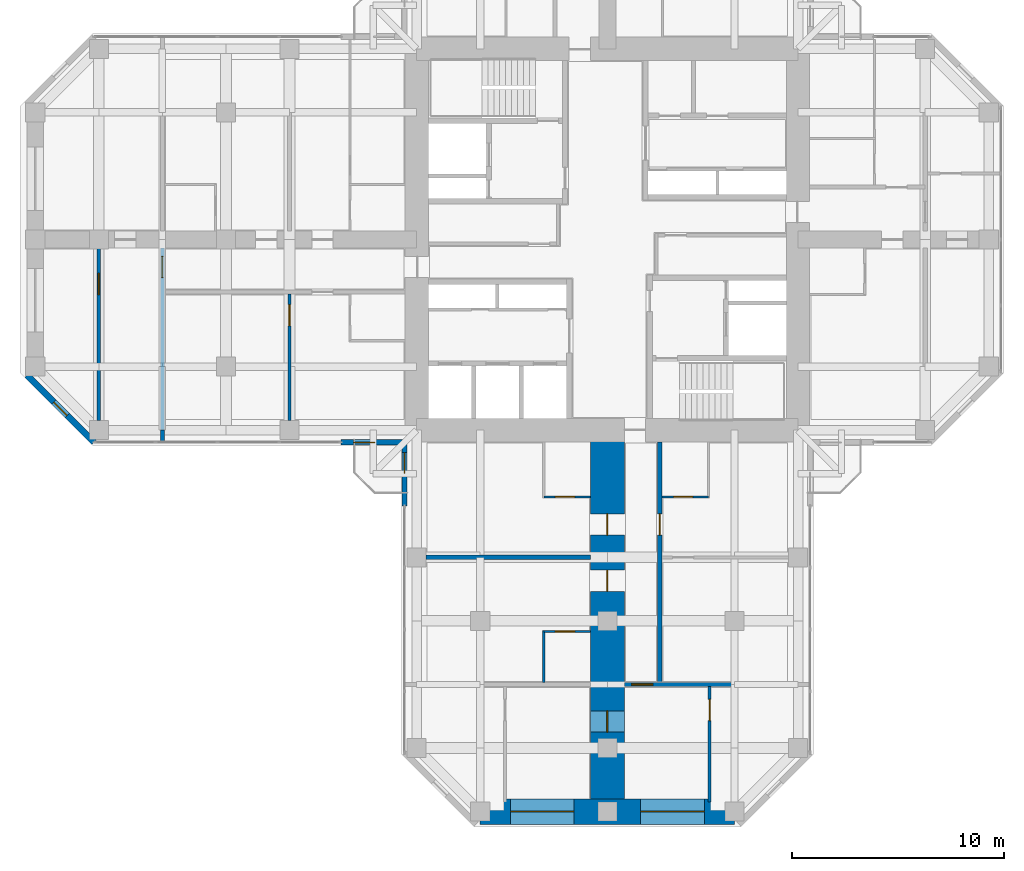
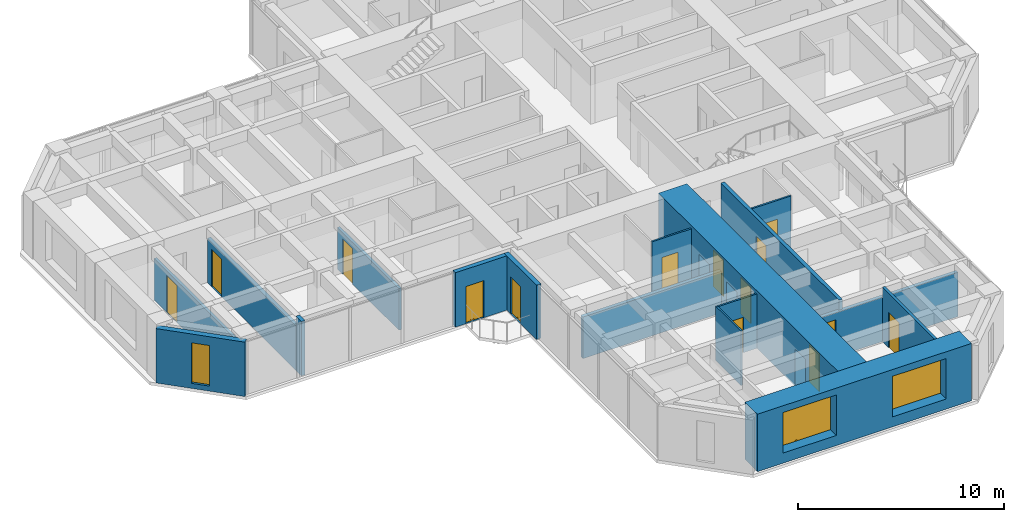
# One storey, part 8 of 14: 17 walls, 14 doors, 3 windows, 17 openings.
"""IFC4 building model written with IfcOpenShell, lengths in metres."""

import ifcopenshell
import ifcopenshell.guid

model = None  # the IFC model being written
_history = None  # IfcOwnerHistory: only IFC2X3 demands one
_inside = {}  # id of a spatial element -> (the spatial element, [elements in it])
_under = {}  # id of a project, library or spatial element -> (it, [spatial elements below it])
_declared = {}  # id of a project -> (the project, [libraries it declares])
_typed = {}  # id of a type object -> (the type object, [elements of that type])
_made_of = {}  # id of a material, layer set ... -> (it, [elements and type objects made of it])


def new_model(schema):
    """Start an empty IFC model of exactly this schema.

    Asked for "IFC4X3", IfcOpenShell would pick the latest addendum, in which some entities
    have other attributes; the version numbers below select the first issue.
    IFC2X3 requires an IfcOwnerHistory on every rooted entity: one is made here for all.
    """
    global model, _history
    if schema == "IFC4X3":
        model = ifcopenshell.file(schema_version=(4, 3, 0, 0))
    else:
        model = ifcopenshell.file(schema=schema)
    _inside.clear()
    _under.clear()
    _declared.clear()
    _typed.clear()
    _made_of.clear()
    _history = None
    if model.schema == "IFC2X3":
        org = make("IfcOrganization", Name="unknown")
        user = make(
            "IfcPersonAndOrganization",
            ThePerson=make("IfcPerson", FamilyName="unknown"),
            TheOrganization=org,
        )
        app = make(
            "IfcApplication",
            ApplicationDeveloper=org,
            Version="unknown",
            ApplicationFullName="unknown",
            ApplicationIdentifier="unknown",
        )
        _history = make(
            "IfcOwnerHistory",
            OwningUser=user,
            OwningApplication=app,
            ChangeAction="ADDED",
            CreationDate=0,
        )
    return model


def make(cls, **values):
    """One entity of the class cls with the attributes given. An attribute that is None is left unset."""
    return model.create_entity(
        cls, **{name: value for name, value in values.items() if value is not None}
    )


def rooted(cls, **values):
    """An entity with a GlobalId (a new one), such as an element, a storey or a relation."""
    return make(cls, GlobalId=ifcopenshell.guid.new(), OwnerHistory=_history, **values)


def si_unit(unit_type, name, prefix=None):
    """IfcSIUnit, for example si_unit("LENGTHUNIT", "METRE", prefix="MILLI")."""
    return make("IfcSIUnit", UnitType=unit_type, Prefix=prefix, Name=name)


def assignment(units):
    """IfcUnitAssignment: the units of a project."""
    return None if units is None else make("IfcUnitAssignment", Units=units)


def point(xyz):
    """IfcCartesianPoint."""
    return None if xyz is None else make("IfcCartesianPoint", Coordinates=xyz)


def direction(xyz):
    """IfcDirection."""
    return None if xyz is None else make("IfcDirection", DirectionRatios=xyz)


def frame(location, z_axis=None, x_axis=None):
    """IfcAxis2Placement3D, a coordinate frame: its origin and axes. An axis left out is left unset."""
    return make(
        "IfcAxis2Placement3D",
        Location=point(location),
        Axis=direction(z_axis),
        RefDirection=direction(x_axis),
    )


def frame_2d(location, x_axis=None):
    """IfcAxis2Placement2D, a coordinate frame in the plane: its origin and x axis."""
    return make(
        "IfcAxis2Placement2D", Location=point(location), RefDirection=direction(x_axis)
    )


def origin():
    """The frame at (0, 0, 0) with its axes left unset."""
    return frame((0.0, 0.0, 0.0))


def place(relative_to, where):
    """IfcLocalPlacement: puts the frame where relative to a parent placement (None: the world)."""
    return make(
        "IfcLocalPlacement", PlacementRelTo=relative_to, RelativePlacement=where
    )


def context(
    kind, dimensions, precision=None, world=None, true_north=None, identifier=None
):
    """IfcGeometricRepresentationContext, for example the 3D "Model" context."""
    return make(
        "IfcGeometricRepresentationContext",
        ContextIdentifier=identifier,
        ContextType=kind,
        CoordinateSpaceDimension=dimensions,
        Precision=precision,
        WorldCoordinateSystem=world,
        TrueNorth=true_north,
    )


def subcontext(parent, identifier, kind, view, scale=None):
    """IfcGeometricRepresentationSubContext, for example "Body" below "Model"."""
    return make(
        "IfcGeometricRepresentationSubContext",
        ContextIdentifier=identifier,
        ContextType=kind,
        ParentContext=parent,
        TargetScale=scale,
        TargetView=view,
    )


def project(units=None, contexts=None):
    """IfcProject with its units and contexts."""
    return rooted(
        "IfcProject",
        Name="project",
        RepresentationContexts=contexts,
        UnitsInContext=assignment(units),
    )


def spatial(cls, under=None, at=None, **own):
    """A site, building, storey or space (cls), placed at a placement, below another one or the project."""
    s = rooted(cls, ObjectPlacement=at, **own)
    if under is not None:
        _under.setdefault(under.id(), (under, []))[1].append(s)
    return s


def profile(cls, at=None, kind="AREA", **sizes):
    """A parametric profile (cls). Its sizes go by their IFC names, for example OverallWidth=200.0."""
    return make(cls, ProfileType=kind, Position=at, **sizes)


def rectangle(**sizes):
    """IfcRectangleProfileDef."""
    return profile("IfcRectangleProfileDef", **sizes)


def hollow_rectangle(**sizes):
    """IfcRectangleHollowProfileDef."""
    return profile("IfcRectangleHollowProfileDef", **sizes)


def extrude(swept, where, along, depth):
    """IfcExtrudedAreaSolid: the profile swept, set in the frame where, extruded along a direction by depth."""
    return make(
        "IfcExtrudedAreaSolid",
        SweptArea=swept,
        Position=where,
        ExtrudedDirection=direction(along),
        Depth=depth,
    )


def shape(context_of_items, identifier, shape_type, items):
    """IfcShapeRepresentation: the items that make up one representation, for example the "Body"."""
    return make(
        "IfcShapeRepresentation",
        ContextOfItems=context_of_items,
        RepresentationIdentifier=identifier,
        RepresentationType=shape_type,
        Items=items,
    )


def material(Name=None, Category=None):
    """IfcMaterial."""
    return make("IfcMaterial", Name=Name, Category=Category)


def layer(
    of_material, thickness, ventilated=None, Name=None, Category=None, Priority=None
):
    """IfcMaterialLayer: one layer of a wall or slab, of a material (None: an air gap)."""
    return make(
        "IfcMaterialLayer",
        Material=of_material,
        LayerThickness=thickness,
        IsVentilated=ventilated,
        Name=Name,
        Category=Category,
        Priority=Priority,
    )


def layer_set(layers, Name=None):
    """IfcMaterialLayerSet."""
    return make("IfcMaterialLayerSet", MaterialLayers=layers, LayerSetName=Name)


def constituent(of_material, Name=None, Category=None, fraction=None):
    """IfcMaterialConstituent: one of the materials an element consists of."""
    return make(
        "IfcMaterialConstituent",
        Name=Name,
        Material=of_material,
        Fraction=fraction,
        Category=Category,
    )


def constituent_set(constituents=None, Name=None):
    """IfcMaterialConstituentSet."""
    return make(
        "IfcMaterialConstituentSet", Name=Name, MaterialConstituents=constituents
    )


def made_of(thing, what):
    """Note that an element or type object is made of a material, layer set ...; save() writes the relation."""
    if what is not None:
        _made_of.setdefault(what.id(), (what, []))[1].append(thing)
    return thing


def type_object(cls, material=None, **own):
    """A type object (cls), such as IfcWallType, which elements share."""
    return made_of(rooted(cls, **own), material)


def element(
    cls,
    number,
    at=None,
    inside=None,
    cuts=None,
    type_object=None,
    material=None,
    context=None,
    identifier="Body",
    shape_type=None,
    held_by="IfcProductDefinitionShape",
    body=None,
    shapes=None,
    **own,
):
    """One element of the class cls, such as IfcWall. Its Tag is "e" and its number.

    at: its placement. inside: the storey or other place that contains it. cuts: it is an
    opening in that element (IfcRelVoidsElement). A single representation is given by context,
    identifier, shape_type and body (its items); several are given by shapes. held_by: the class
    of the entity that holds the representations. save() writes the other relations.
    """
    e = rooted(cls, Tag="e%d" % number, ObjectPlacement=at, **own)
    if body is not None:
        shapes = [shape(context, identifier, shape_type, body)]
    if shapes is not None:
        e.Representation = make(held_by, Representations=shapes)
    if inside is not None:
        _inside.setdefault(inside.id(), (inside, []))[1].append(e)
    if cuts is not None:
        rooted(
            "IfcRelVoidsElement", RelatingBuildingElement=cuts, RelatedOpeningElement=e
        )
    if type_object is not None:
        _typed.setdefault(type_object.id(), (type_object, []))[1].append(e)
    return made_of(e, material)


def fill(opening, filler):
    """IfcRelFillsElement: the door or window that sits in an opening."""
    return rooted(
        "IfcRelFillsElement",
        RelatingOpeningElement=opening,
        RelatedBuildingElement=filler,
    )


def aggregate(whole, parts):
    """IfcRelAggregates: a whole, such as a stair, and the parts it consists of."""
    return rooted("IfcRelAggregates", RelatingObject=whole, RelatedObjects=parts)


def save(model, path):
    """Write the relations noted so far, then the file.

    IfcRelAggregates (storeys below a building ...), IfcRelContainedInSpatialStructure (elements
    in a storey), IfcRelDefinesByType, IfcRelAssociatesMaterial and IfcRelDeclares: one each for
    every whole, place, type object, material and project.
    """
    for whole, parts in _under.values():
        aggregate(whole, parts)
    for where, things in _inside.values():
        rooted(
            "IfcRelContainedInSpatialStructure",
            RelatedElements=things,
            RelatingStructure=where,
        )
    for kind, things in _typed.values():
        rooted("IfcRelDefinesByType", RelatedObjects=things, RelatingType=kind)
    for what, things in _made_of.values():
        rooted("IfcRelAssociatesMaterial", RelatedObjects=things, RelatingMaterial=what)
    for by, libraries in _declared.values():
        rooted("IfcRelDeclares", RelatingContext=by, RelatedDefinitions=libraries)
    model.write(path)


model = new_model("IFC4")

# Units and contexts
model_context = context("Model", 3, precision=1e-05, world=origin(), true_north=direction((0.0, 1.0)))
body_context = subcontext(model_context, "Body", "Model", "MODEL_VIEW")
ifc_project = project(units=[si_unit("LENGTHUNIT", "METRE"), si_unit("AREAUNIT", "SQUARE_METRE"), si_unit("VOLUMEUNIT", "CUBIC_METRE"), si_unit("PLANEANGLEUNIT", "RADIAN"), si_unit("MASSUNIT", "GRAM", prefix="KILO")], contexts=[model_context])

# Site, building, storey
site_placement = place(None, origin())
site = spatial("IfcSite", under=ifc_project, at=site_placement, CompositionType="ELEMENT")
building_placement = place(site_placement, origin())
building = spatial("IfcBuilding", under=site, at=building_placement, Name="Torre Cruceta", CompositionType="ELEMENT")
storey_placement = place(building_placement, frame((0.0, 0.0, 200.10009765625)))
storey = spatial("IfcBuildingStorey", under=building, at=storey_placement, Name="L50", CompositionType="ELEMENT", Elevation=200.10009765625)

# Wall, opening, door
ifc_material_1 = material(Name="Water-resistant plasterboard on steel studs", Category="steel")
ifc_layer_1 = layer(ifc_material_1, 0.10009765625)
ifc_layer_set_1 = layer_set([ifc_layer_1], Name="Water-resistant plasterboard on steel studs")
wall_type_1 = type_object("IfcWallType", Name="BATHROOM WALL 100", PredefinedType="PARTITIONING", material=ifc_layer_set_1)
wall_1_placement = place(storey_placement, frame((2.574951171875, -12.14990234375, 0.0), z_axis=(0.0, 0.0, 1.0), x_axis=(1.0, 0.0, 0.0)))
wall_1 = element("IfcWall", 1, at=wall_1_placement, inside=storey, type_object=wall_type_1, Name="PT4 L50-S-U1LBS", PredefinedType="PARTITIONING", context=body_context, shape_type="SweptSolid", body=[
    extrude(rectangle(XDim=2.199951171875, YDim=0.10009765625, at=frame_2d((1.10009765625, 0.0))), origin(), (0.0, 0.0, 1.0), 3.219970703125),
])
opening_1_placement = place(wall_1_placement, frame((0.550048828125, 0.0, 0.0)))
opening_1 = element("IfcOpeningElement", 2, at=opening_1_placement, cuts=wall_1, Name="Opening D7", PredefinedType="OPENING", context=body_context, shape_type="SweptSolid", body=[
    extrude(rectangle(XDim=0.89990234375, YDim=2.10009765625, at=frame_2d((0.449951171875, 1.050048828125))), frame((0.0, 0.06005859375, 0.0), z_axis=(0.0, -1.0, 0.0), x_axis=(1.0, 0.0, 0.0)), (0.0, 0.0, 1.0), 0.1201171875),
])
ifc_material_2 = material(Name="Timber door", Category="wood")
door_type_1 = type_object("IfcDoorType", Name="BATHROOM DOOR 900X2100", OperationType="SINGLE_SWING_LEFT", PredefinedType="DOOR", material=ifc_material_2)
door_1_placement = place(opening_1_placement, origin())
door_1 = element("IfcDoor", 3, at=door_1_placement, inside=storey, type_object=door_type_1, Name="D7 L50-S-U1LBS-D1", OperationType="SINGLE_SWING_LEFT", OverallHeight=2.10009765625, OverallWidth=0.89990234375, PredefinedType="DOOR", context=body_context, shape_type="SweptSolid", body=[
    extrude(rectangle(XDim=0.89990234375, YDim=2.10009765625, at=frame_2d((0.449951171875, 1.050048828125))), frame((0.0, 0.02490234375, 0.0), z_axis=(0.0, -1.0, 0.0), x_axis=(1.0, 0.0, 0.0)), (0.0, 0.0, 1.0), 0.050048828125),
])
fill(opening_1, door_1)

wall_2_placement = place(storey_placement, frame((-3.0, -12.14990234375, 0.0), z_axis=(0.0, 0.0, 1.0), x_axis=(1.0, 0.0, 0.0)))
wall_2 = element("IfcWall", 4, at=wall_2_placement, inside=storey, type_object=wall_type_1, Name="PT4 L50-S-U1RBS", PredefinedType="PARTITIONING", context=body_context, shape_type="SweptSolid", body=[
    extrude(rectangle(XDim=2.199951171875, YDim=0.10009765625, at=frame_2d((1.10009765625, 0.0))), origin(), (0.0, 0.0, 1.0), 3.219970703125),
])
opening_2_placement = place(wall_2_placement, frame((0.550048828125, 0.0, 0.0)))
opening_2 = element("IfcOpeningElement", 5, at=opening_2_placement, cuts=wall_2, Name="Opening D7", PredefinedType="OPENING", context=body_context, shape_type="SweptSolid", body=[
    extrude(rectangle(XDim=0.89990234375, YDim=2.10009765625, at=frame_2d((0.449951171875, 1.050048828125))), frame((0.0, 0.06005859375, 0.0), z_axis=(0.0, -1.0, 0.0), x_axis=(1.0, 0.0, 0.0)), (0.0, 0.0, 1.0), 0.1201171875),
])
door_2_placement = place(opening_2_placement, origin())
door_2 = element("IfcDoor", 6, at=door_2_placement, inside=storey, type_object=door_type_1, Name="D7 L50-S-U1RBS-D1", OperationType="SINGLE_SWING_LEFT", OverallHeight=2.10009765625, OverallWidth=0.89990234375, PredefinedType="DOOR", context=body_context, shape_type="SweptSolid", body=[
    extrude(rectangle(XDim=0.89990234375, YDim=2.10009765625, at=frame_2d((0.449951171875, 1.050048828125))), frame((0.0, 0.02490234375, 0.0), z_axis=(0.0, -1.0, 0.0), x_axis=(1.0, 0.0, 0.0)), (0.0, 0.0, 1.0), 0.050048828125),
])
fill(opening_2, door_2)

# Wall
wall_3_placement = place(storey_placement, frame((-3.0, -18.449951171875, 0.0), z_axis=(0.0, 0.0, 1.0), x_axis=(0.0, -1.0, 0.0)))
element("IfcWall", 7, at=wall_3_placement, inside=storey, type_object=wall_type_1, Name="PT4 L50-S-U2RBB", PredefinedType="PARTITIONING", context=body_context, shape_type="SweptSolid", body=[
    extrude(rectangle(XDim=2.449951171875, YDim=0.10009765625, at=frame_2d((1.22509765625, 0.0))), origin(), (0.0, 0.0, 1.0), 3.219970703125),
])

# Wall, opening, door
wall_4_placement = place(storey_placement, frame((-3.0, -18.5, 0.0), z_axis=(0.0, 0.0, 1.0), x_axis=(1.0, 0.0, 0.0)))
wall_4 = element("IfcWall", 8, at=wall_4_placement, inside=storey, type_object=wall_type_1, Name="PT4 L50-S-U2RBS", PredefinedType="PARTITIONING", context=body_context, shape_type="SweptSolid", body=[
    extrude(rectangle(XDim=2.199951171875, YDim=0.10009765625, at=frame_2d((1.10009765625, 0.0))), origin(), (0.0, 0.0, 1.0), 3.219970703125),
])
opening_3_placement = place(wall_4_placement, frame((0.550048828125, 0.0, 0.0)))
opening_3 = element("IfcOpeningElement", 9, at=opening_3_placement, cuts=wall_4, Name="Opening D7", PredefinedType="OPENING", context=body_context, shape_type="SweptSolid", body=[
    extrude(rectangle(XDim=0.89990234375, YDim=2.10009765625, at=frame_2d((0.449951171875, 1.050048828125))), frame((0.0, 0.06005859375, 0.0), z_axis=(0.0, -1.0, 0.0), x_axis=(1.0, 0.0, 0.0)), (0.0, 0.0, 1.0), 0.1201171875),
])
door_3_placement = place(opening_3_placement, frame((0.89990234375, 0.0, 0.0), z_axis=(0.0, 0.0, 1.0), x_axis=(-1.0, 0.0, 0.0)))
door_3 = element("IfcDoor", 10, at=door_3_placement, inside=storey, type_object=door_type_1, Name="D7 L50-S-U2RBS-D1", OperationType="SINGLE_SWING_RIGHT", OverallHeight=2.10009765625, OverallWidth=0.89990234375, PredefinedType="DOOR", context=body_context, shape_type="SweptSolid", body=[
    extrude(rectangle(XDim=0.89990234375, YDim=2.10009765625, at=frame_2d((0.449951171875, 1.050048828125))), frame((0.0, 0.025146484375, 0.0), z_axis=(0.0, -1.0, 0.0), x_axis=(1.0, 0.0, 0.0)), (0.0, 0.0, 1.0), 0.050048828125),
])
fill(opening_3, door_3)

ifc_material_3 = material(Name="Concrete G25 (fck 25 MPa)", Category="concrete")
ifc_layer_2 = layer(ifc_material_3, 0.199951171875)
ifc_layer_set_2 = layer_set([ifc_layer_2], Name="Concrete G25 (fck 25 MPa)")
wall_type_2 = type_object("IfcWallType", Name="CORRIDOR WALL 200", PredefinedType="SOLIDWALL", material=ifc_layer_set_2)
wall_5_placement = place(storey_placement, frame((2.47509765625, -9.550048828125, 0.0), z_axis=(0.0, 0.0, 1.0), x_axis=(0.0, -1.0, 0.0)))
wall_5 = element("IfcWall", 11, at=wall_5_placement, inside=storey, type_object=wall_type_2, Name="PT3 L50-S-CL", PredefinedType="SOLIDWALL", context=body_context, shape_type="SweptSolid", body=[
    extrude(rectangle(XDim=11.449951171875, YDim=0.199951171875, at=frame_2d((5.72509765625, 0.0))), origin(), (0.0, 0.0, 1.0), 3.219970703125),
])
opening_4_placement = place(wall_5_placement, frame((3.39990234375, 0.0, 0.0)))
opening_4 = element("IfcOpeningElement", 12, at=opening_4_placement, cuts=wall_5, Name="Opening D6", PredefinedType="OPENING", context=body_context, shape_type="SweptSolid", body=[
    extrude(rectangle(XDim=1.0, YDim=2.14990234375, at=frame_2d((0.5, 1.074951171875))), frame((0.0, 0.10986328125, 0.0), z_axis=(0.0, -1.0, 0.0), x_axis=(1.0, 0.0, 0.0)), (0.0, 0.0, 1.0), 0.219970703125),
])
ifc_material_4 = material(Name="Timber fire door", Category="wood")
door_type_2 = type_object("IfcDoorType", Name="UNIT ENTRANCE DOOR 1000X2150", OperationType="SINGLE_SWING_LEFT", PredefinedType="DOOR", material=ifc_material_4)
door_4_placement = place(opening_4_placement, origin())
door_4 = element("IfcDoor", 13, at=door_4_placement, inside=storey, type_object=door_type_2, Name="D6 L50-S-CL-D1", OperationType="SINGLE_SWING_LEFT", OverallHeight=2.14990234375, OverallWidth=1.0, PredefinedType="DOOR", context=body_context, shape_type="SweptSolid", body=[
    extrude(rectangle(XDim=1.0, YDim=2.14990234375, at=frame_2d((0.5, 1.074951171875))), frame((0.0, 0.02490234375, 0.0), z_axis=(0.0, -1.0, 0.0), x_axis=(1.0, 0.0, 0.0)), (0.0, 0.0, 1.0), 0.050048828125),
])
fill(opening_4, door_4)

# Wall, opening, window
ifc_material_5 = material(Name="Concrete G30 (fck 30 MPa)", Category="concrete")
ifc_layer_3 = layer(ifc_material_5, 0.300048828125)
ifc_layer_set_3 = layer_set([ifc_layer_3], Name="Concrete G30 (fck 30 MPa)")
wall_type_3 = type_object("IfcWallType", Name="EXPOSED CONCRETE FACADE WALL 300", PredefinedType="SOLIDWALL", material=ifc_layer_set_3)
wall_6_placement = place(storey_placement, frame((-27.39990234375, -6.406005859375, 0.0), z_axis=(0.0, 0.0, 1.0), x_axis=(0.707079499254, -0.707134062067, 0.0)))
wall_6 = element("IfcWall", 14, at=wall_6_placement, inside=storey, type_object=wall_type_3, Name="EW1 facade wall L50 W chamfer 13", PredefinedType="SOLIDWALL", context=body_context, shape_type="SweptSolid", body=[
    extrude(rectangle(XDim=4.474609375, YDim=0.300048828125, at=frame_2d((2.2373046875, 0.0))), origin(), (0.0, 0.0, 1.0), 3.219970703125),
])
opening_5_placement = place(wall_6_placement, frame((1.787109375, 0.0, 0.300048828125)))
opening_5 = element("IfcOpeningElement", 15, at=opening_5_placement, cuts=wall_6, Name="Opening WN5", PredefinedType="OPENING", context=body_context, shape_type="SweptSolid", body=[
    extrude(rectangle(XDim=0.89990234375, YDim=2.39990234375, at=frame_2d((0.449951171875, 1.199951171875))), frame((0.0, 0.159912109375, 0.0), z_axis=(0.0, -1.0, 0.0), x_axis=(1.0, 0.0, 0.0)), (0.0, 0.0, 1.0), 0.320068359375),
])
ifc_material_6 = material(Name="Aluminium window frame", Category="aluminium")
ifc_constituent_1 = constituent(ifc_material_6, Name="Frame")
ifc_material_7 = material(Name="Laminated insulating glass unit, low-iron clear", Category="glass")
ifc_constituent_2 = constituent(ifc_material_7, Name="Glazing")
ifc_constituent_set_1 = constituent_set(constituents=[ifc_constituent_1, ifc_constituent_2], Name="Aluminium window")
window_type_1 = type_object("IfcWindowType", Name="CHAMFER SLOT WINDOW 900X2400", PartitioningType="SINGLE_PANEL", PredefinedType="WINDOW", material=ifc_constituent_set_1)
window_1_placement = place(opening_5_placement, origin())
window_1 = element("IfcWindow", 16, at=window_1_placement, inside=storey, type_object=window_type_1, Name="WN5 L50 W 1", OverallHeight=2.39990234375, OverallWidth=0.89990234375, PartitioningType="SINGLE_PANEL", PredefinedType="WINDOW", context=body_context, shape_type="SweptSolid", body=[
    extrude(hollow_rectangle(XDim=0.89990234375, YDim=2.39990234375, WallThickness=0.06005859375, at=frame_2d((0.449951171875, 1.199951171875))), frame((0.0, 0.030029296875, 0.0), z_axis=(0.0, -1.0, 0.0), x_axis=(1.0, 0.0, 0.0)), (0.0, 0.0, 1.0), 0.06005859375),
    extrude(rectangle(XDim=0.77880859375, YDim=2.27880859375, at=frame_2d((0.449951171875, 1.199951171875))), frame((0.0, 0.030029296875, 0.0), z_axis=(0.0, -1.0, 0.0), x_axis=(1.0, 0.0, 0.0)), (0.0, 0.0, 1.0), 0.06005859375),
])
fill(opening_5, window_1)

# Wall, openings, windows
ifc_material_8 = material(Name="Concrete G60 (fck 60 MPa)", Category="concrete")
ifc_layer_4 = layer(ifc_material_8, 1.199951171875)
ifc_layer_set_4 = layer_set([ifc_layer_4], Name="Concrete G60 (fck 60 MPa)")
wall_type_4 = type_object("IfcWallType", Name="NOSE WALL 1200 G60", PredefinedType="SHEAR", material=ifc_layer_set_4)
wall_7_placement = place(storey_placement, frame((-6.0, -27.0, 0.0), z_axis=(0.0, 0.0, 1.0), x_axis=(1.0, 0.0, 0.0)))
wall_7 = element("IfcWall", 17, at=wall_7_placement, inside=storey, type_object=wall_type_4, Name="NW1 nose wall L50 S", PredefinedType="SHEAR", context=body_context, shape_type="SweptSolid", body=[
    extrude(rectangle(XDim=12.0, YDim=1.199951171875, at=frame_2d((6.0, 0.0))), origin(), (0.0, 0.0, 1.0), 3.39990234375),
])
opening_6_placement = place(wall_7_placement, frame((1.425048828125, 0.0, 0.60009765625)))
opening_6 = element("IfcOpeningElement", 18, at=opening_6_placement, cuts=wall_7, Name="Opening WN6", PredefinedType="OPENING", context=body_context, shape_type="SweptSolid", body=[
    extrude(rectangle(XDim=3.0, YDim=2.39990234375, at=frame_2d((1.5, 1.199951171875))), frame((0.0, 0.60986328125, 0.0), z_axis=(0.0, -1.0, 0.0), x_axis=(1.0, 0.0, 0.0)), (0.0, 0.0, 1.0), 1.219970703125),
])
opening_7_placement = place(wall_7_placement, frame((7.574951171875, 0.0, 0.60009765625)))
opening_7 = element("IfcOpeningElement", 19, at=opening_7_placement, cuts=wall_7, Name="Opening WN6", PredefinedType="OPENING", context=body_context, shape_type="SweptSolid", body=[
    extrude(rectangle(XDim=3.0, YDim=2.39990234375, at=frame_2d((1.5, 1.199951171875))), frame((0.0, 0.60986328125, 0.0), z_axis=(0.0, -1.0, 0.0), x_axis=(1.0, 0.0, 0.0)), (0.0, 0.0, 1.0), 1.219970703125),
])
ifc_material_9 = material(Name="Aluminium window frame", Category="aluminium")
ifc_constituent_3 = constituent(ifc_material_9, Name="Frame")
ifc_material_10 = material(Name="Laminated insulating glass unit, low-iron clear", Category="glass")
ifc_constituent_4 = constituent(ifc_material_10, Name="Glazing")
ifc_constituent_set_2 = constituent_set(constituents=[ifc_constituent_3, ifc_constituent_4], Name="Aluminium window")
window_type_2 = type_object("IfcWindowType", Name="NOSE WALL WINDOW 3000X2400", PartitioningType="SINGLE_PANEL", PredefinedType="WINDOW", material=ifc_constituent_set_2)
window_2_placement = place(opening_6_placement, origin())
window_2 = element("IfcWindow", 20, at=window_2_placement, inside=storey, type_object=window_type_2, Name="WN6 L50 S 1", OverallHeight=2.39990234375, OverallWidth=3.0, PartitioningType="SINGLE_PANEL", PredefinedType="WINDOW", context=body_context, shape_type="SweptSolid", body=[
    extrude(hollow_rectangle(XDim=3.0, YDim=2.39990234375, WallThickness=0.06005859375, at=frame_2d((1.5, 1.199951171875))), frame((0.0, 0.030029296875, 0.0), z_axis=(0.0, -1.0, 0.0), x_axis=(1.0, 0.0, 0.0)), (0.0, 0.0, 1.0), 0.06005859375),
    extrude(rectangle(XDim=2.87890625, YDim=2.27880859375, at=frame_2d((1.5, 1.199951171875))), frame((0.0, 0.030029296875, 0.0), z_axis=(0.0, -1.0, 0.0), x_axis=(1.0, 0.0, 0.0)), (0.0, 0.0, 1.0), 0.06005859375),
])
fill(opening_6, window_2)
window_3_placement = place(opening_7_placement, origin())
window_3 = element("IfcWindow", 21, at=window_3_placement, inside=storey, type_object=window_type_2, Name="WN6 L50 S 2", OverallHeight=2.39990234375, OverallWidth=3.0, PartitioningType="SINGLE_PANEL", PredefinedType="WINDOW", context=body_context, shape_type="SweptSolid", body=[
    extrude(hollow_rectangle(XDim=3.0, YDim=2.39990234375, WallThickness=0.06005859375, at=frame_2d((1.5, 1.199951171875))), frame((0.0, 0.030029296875, 0.0), z_axis=(0.0, -1.0, 0.0), x_axis=(1.0, 0.0, 0.0)), (0.0, 0.0, 1.0), 0.06005859375),
    extrude(rectangle(XDim=2.87890625, YDim=2.27880859375, at=frame_2d((1.5, 1.199951171875))), frame((0.0, 0.030029296875, 0.0), z_axis=(0.0, -1.0, 0.0), x_axis=(1.0, 0.0, 0.0)), (0.0, 0.0, 1.0), 0.06005859375),
])
fill(opening_7, window_3)

# Wall, opening, door
ifc_material_11 = material(Name="Plasterboard on steel studs", Category="steel")
ifc_layer_5 = layer(ifc_material_11, 0.14990234375)
ifc_layer_set_5 = layer_set([ifc_layer_5], Name="Plasterboard on steel studs")
wall_type_5 = type_object("IfcWallType", Name="PARTITION 150", PredefinedType="PARTITIONING", material=ifc_layer_set_5)
wall_8_placement = place(storey_placement, frame((4.824951171875, -21.10009765625, 0.0), z_axis=(0.0, 0.0, 1.0), x_axis=(0.0, -1.0, 0.0)))
wall_8 = element("IfcWall", 22, at=wall_8_placement, inside=storey, type_object=wall_type_5, Name="PT1 L50-S-ENDX", PredefinedType="PARTITIONING", context=body_context, shape_type="SweptSolid", body=[
    extrude(rectangle(XDim=5.449951171875, YDim=0.14990234375, at=frame_2d((2.72509765625, 0.0))), origin(), (0.0, 0.0, 1.0), 3.219970703125),
])
opening_8_placement = place(wall_8_placement, frame((0.60009765625, 0.0, 0.0)))
opening_8 = element("IfcOpeningElement", 23, at=opening_8_placement, cuts=wall_8, Name="Opening D3", PredefinedType="OPENING", context=body_context, shape_type="SweptSolid", body=[
    extrude(rectangle(XDim=1.0, YDim=2.10009765625, at=frame_2d((0.5, 1.050048828125))), frame((0.0, 0.0849609375, 0.0), z_axis=(0.0, -1.0, 0.0), x_axis=(1.0, 0.0, 0.0)), (0.0, 0.0, 1.0), 0.169921875),
])
ifc_material_12 = material(Name="Steel DX51D", Category="steel")
ifc_constituent_5 = constituent(ifc_material_12, Name="Leaf and frame")
ifc_material_13 = material(Name="Polyester powder coating", Category="paint")
ifc_constituent_6 = constituent(ifc_material_13, Name="Finish")
ifc_constituent_set_3 = constituent_set(constituents=[ifc_constituent_5, ifc_constituent_6], Name="Steel fire door")
door_type_3 = type_object("IfcDoorType", Name="FIRE DOOR 1000X2100", OperationType="SINGLE_SWING_LEFT", PredefinedType="DOOR", material=ifc_constituent_set_3)
door_5_placement = place(opening_8_placement, origin())
door_5 = element("IfcDoor", 24, at=door_5_placement, inside=storey, type_object=door_type_3, Name="D3 L50-S-ENDX-D1", OperationType="SINGLE_SWING_LEFT", OverallHeight=2.10009765625, OverallWidth=1.0, PredefinedType="DOOR", context=body_context, shape_type="SweptSolid", body=[
    extrude(rectangle(XDim=1.0, YDim=2.10009765625, at=frame_2d((0.5, 1.050048828125))), frame((0.0, 0.02490234375, 0.0), z_axis=(0.0, -1.0, 0.0), x_axis=(1.0, 0.0, 0.0)), (0.0, 0.0, 1.0), 0.050048828125),
])
fill(opening_8, door_5)

wall_9_placement = place(storey_placement, frame((-15.0, -2.574951171875, 0.0), z_axis=(0.0, 0.0, 1.0), x_axis=(0.0, -1.0, 0.0)))
wall_9 = element("IfcWall", 25, at=wall_9_placement, inside=storey, type_object=wall_type_5, Name="PT1 L50-W-P1L", PredefinedType="PARTITIONING", context=body_context, shape_type="SweptSolid", body=[
    extrude(rectangle(XDim=5.97509765625, YDim=0.14990234375, at=frame_2d((2.987548828125, 0.0))), origin(), (0.0, 0.0, 1.0), 2.469970703125),
])
opening_9_placement = place(wall_9_placement, frame((0.5, 0.0, 0.0)))
opening_9 = element("IfcOpeningElement", 26, at=opening_9_placement, cuts=wall_9, Name="Opening D3", PredefinedType="OPENING", context=body_context, shape_type="SweptSolid", body=[
    extrude(rectangle(XDim=1.0, YDim=2.10009765625, at=frame_2d((0.5, 1.050048828125))), frame((0.0, 0.0849609375, 0.0), z_axis=(0.0, -1.0, 0.0), x_axis=(1.0, 0.0, 0.0)), (0.0, 0.0, 1.0), 0.169921875),
])
door_6_placement = place(opening_9_placement, origin())
door_6 = element("IfcDoor", 27, at=door_6_placement, inside=storey, type_object=door_type_3, Name="D3 L50-W-P1L-D1", OperationType="SINGLE_SWING_LEFT", OverallHeight=2.10009765625, OverallWidth=1.0, PredefinedType="DOOR", context=body_context, shape_type="SweptSolid", body=[
    extrude(rectangle(XDim=1.0, YDim=2.10009765625, at=frame_2d((0.5, 1.050048828125))), frame((0.0, 0.02490234375, 0.0), z_axis=(0.0, -1.0, 0.0), x_axis=(1.0, 0.0, 0.0)), (0.0, 0.0, 1.0), 0.050048828125),
])
fill(opening_9, door_6)

wall_10_placement = place(storey_placement, frame((-24.0, -0.39990234375, 0.0), z_axis=(0.0, 0.0, 1.0), x_axis=(0.0, -1.0, 0.0)))
wall_10 = element("IfcWall", 28, at=wall_10_placement, inside=storey, type_object=wall_type_5, Name="PT1 L50-W-ENDX", PredefinedType="PARTITIONING", context=body_context, shape_type="SweptSolid", body=[
    extrude(rectangle(XDim=8.150146484375, YDim=0.14990234375, at=frame_2d((4.0751953125, 0.0))), origin(), (0.0, 0.0, 1.0), 2.469970703125),
])
opening_10_placement = place(wall_10_placement, frame((1.199951171875, 0.0, 0.0)))
opening_10 = element("IfcOpeningElement", 29, at=opening_10_placement, cuts=wall_10, Name="Opening D14", PredefinedType="OPENING", context=body_context, shape_type="SweptSolid", body=[
    extrude(rectangle(XDim=1.0, YDim=2.199951171875, at=frame_2d((0.5, 1.10009765625))), frame((0.0, 0.0849609375, 0.0), z_axis=(0.0, -1.0, 0.0), x_axis=(1.0, 0.0, 0.0)), (0.0, 0.0, 1.0), 0.169921875),
])
ifc_material_14 = material(Name="Steel DX51D", Category="steel")
ifc_constituent_7 = constituent(ifc_material_14, Name="Leaf and frame")
ifc_material_15 = material(Name="Polyester powder coating", Category="paint")
ifc_constituent_8 = constituent(ifc_material_15, Name="Finish")
ifc_material_16 = material(Name="Fire-resisting glass", Category="glass")
ifc_constituent_9 = constituent(ifc_material_16, Name="Vision panel")
ifc_constituent_set_4 = constituent_set(constituents=[ifc_constituent_7, ifc_constituent_8, ifc_constituent_9], Name="Steel fire door with vision panel")
door_type_4 = type_object("IfcDoorType", Name="FIRE DOOR VISION PANEL 1000X2200", OperationType="SINGLE_SWING_RIGHT", PredefinedType="DOOR", material=ifc_constituent_set_4)
door_7_placement = place(opening_10_placement, frame((1.0, 0.0, 0.0), z_axis=(0.0, 0.0, 1.0), x_axis=(-1.0, 0.0, 0.0)))
door_7 = element("IfcDoor", 30, at=door_7_placement, inside=storey, type_object=door_type_4, Name="D14 L50-W-ENDX-D1", OperationType="SINGLE_SWING_RIGHT", OverallHeight=2.199951171875, OverallWidth=1.0, PredefinedType="DOOR", context=body_context, shape_type="SweptSolid", body=[
    extrude(rectangle(XDim=1.0, YDim=2.199951171875, at=frame_2d((0.5, 1.10009765625))), frame((0.0, 0.025146484375, 0.0), z_axis=(0.0, -1.0, 0.0), x_axis=(1.0, 0.0, 0.0)), (0.0, 0.0, 1.0), 0.050048828125),
])
fill(opening_10, door_7)

# Wall, openings, doors
ifc_material_17 = material(Name="Concrete G60 (fck 60 MPa)", Category="concrete")
ifc_layer_6 = layer(ifc_material_17, 1.60009765625)
ifc_layer_set_6 = layer_set([ifc_layer_6], Name="Concrete G60 (fck 60 MPa)")
wall_type_6 = type_object("IfcWallType", Name="SPINE WALL 1600 G60", PredefinedType="SHEAR", material=ifc_layer_set_6)
wall_11_placement = place(storey_placement, frame((0.0, -9.0, 0.0), z_axis=(0.0, 0.0, 1.0), x_axis=(0.0, -1.0, 0.0)))
wall_11 = element("IfcWall", 31, at=wall_11_placement, inside=storey, type_object=wall_type_6, Name="SW2 spine wall L50 S", PredefinedType="SHEAR", context=body_context, shape_type="SweptSolid", body=[
    extrude(rectangle(XDim=18.0, YDim=1.60009765625, at=frame_2d((9.0, 0.0))), origin(), (0.0, 0.0, 1.0), 3.39990234375),
])
opening_11_placement = place(wall_11_placement, frame((3.949951171875, 0.0, 0.0)))
opening_11 = element("IfcOpeningElement", 32, at=opening_11_placement, cuts=wall_11, Name="Opening D6", PredefinedType="OPENING", context=body_context, shape_type="SweptSolid", body=[
    extrude(rectangle(XDim=1.0, YDim=2.14990234375, at=frame_2d((0.5, 1.074951171875))), frame((0.0, 0.81005859375, 0.0), z_axis=(0.0, -1.0, 0.0), x_axis=(1.0, 0.0, 0.0)), (0.0, 0.0, 1.0), 1.6201171875),
])
opening_12_placement = place(wall_11_placement, frame((6.60009765625, 0.0, 0.0)))
opening_12 = element("IfcOpeningElement", 33, at=opening_12_placement, cuts=wall_11, Name="Opening D6", PredefinedType="OPENING", context=body_context, shape_type="SweptSolid", body=[
    extrude(rectangle(XDim=1.0, YDim=2.14990234375, at=frame_2d((0.5, 1.074951171875))), frame((0.0, 0.81005859375, 0.0), z_axis=(0.0, -1.0, 0.0), x_axis=(1.0, 0.0, 0.0)), (0.0, 0.0, 1.0), 1.6201171875),
])
opening_13_placement = place(wall_11_placement, frame((13.25, 0.0, 0.0)))
opening_13 = element("IfcOpeningElement", 34, at=opening_13_placement, cuts=wall_11, Name="Opening D14", PredefinedType="OPENING", context=body_context, shape_type="SweptSolid", body=[
    extrude(rectangle(XDim=1.0, YDim=2.199951171875, at=frame_2d((0.5, 1.10009765625))), frame((0.0, 0.81005859375, 0.0), z_axis=(0.0, -1.0, 0.0), x_axis=(1.0, 0.0, 0.0)), (0.0, 0.0, 1.0), 1.6201171875),
])
door_8_placement = place(opening_13_placement, origin())
door_8 = element("IfcDoor", 35, at=door_8_placement, inside=storey, type_object=door_type_4, Name="D14 L50-S-SP3", OperationType="SINGLE_SWING_LEFT", OverallHeight=2.199951171875, OverallWidth=1.0, PredefinedType="DOOR", context=body_context, shape_type="SweptSolid", body=[
    extrude(rectangle(XDim=1.0, YDim=2.199951171875, at=frame_2d((0.5, 1.10009765625))), frame((0.0, 0.02490234375, 0.0), z_axis=(0.0, -1.0, 0.0), x_axis=(1.0, 0.0, 0.0)), (0.0, 0.0, 1.0), 0.050048828125),
])
fill(opening_13, door_8)
door_9_placement = place(opening_11_placement, frame((1.0, 0.0, 0.0), z_axis=(0.0, 0.0, 1.0), x_axis=(-1.0, 0.0, 0.0)))
door_9 = element("IfcDoor", 36, at=door_9_placement, inside=storey, type_object=door_type_2, Name="D6 L50-S-SP1", OperationType="SINGLE_SWING_RIGHT", OverallHeight=2.14990234375, OverallWidth=1.0, PredefinedType="DOOR", context=body_context, shape_type="SweptSolid", body=[
    extrude(rectangle(XDim=1.0, YDim=2.14990234375, at=frame_2d((0.5, 1.074951171875))), frame((0.0, 0.025146484375, 0.0), z_axis=(0.0, -1.0, 0.0), x_axis=(1.0, 0.0, 0.0)), (0.0, 0.0, 1.0), 0.050048828125),
])
fill(opening_11, door_9)
door_10_placement = place(opening_12_placement, frame((1.0, 0.0, 0.0), z_axis=(0.0, 0.0, 1.0), x_axis=(-1.0, 0.0, 0.0)))
door_10 = element("IfcDoor", 37, at=door_10_placement, inside=storey, type_object=door_type_2, Name="D6 L50-S-SP2", OperationType="SINGLE_SWING_RIGHT", OverallHeight=2.14990234375, OverallWidth=1.0, PredefinedType="DOOR", context=body_context, shape_type="SweptSolid", body=[
    extrude(rectangle(XDim=1.0, YDim=2.14990234375, at=frame_2d((0.5, 1.074951171875))), frame((0.0, 0.025146484375, 0.0), z_axis=(0.0, -1.0, 0.0), x_axis=(1.0, 0.0, 0.0)), (0.0, 0.0, 1.0), 0.050048828125),
])
fill(opening_12, door_10)

# Wall
ifc_material_18 = material(Name="Concrete G25 (fck 25 MPa)", Category="concrete")
ifc_layer_7 = layer(ifc_material_18, 0.199951171875)
ifc_layer_set_7 = layer_set([ifc_layer_7], Name="Concrete G25 (fck 25 MPa)")
wall_type_7 = type_object("IfcWallType", Name="UNIT SEPARATING WALL 200", PredefinedType="SOLIDWALL", material=ifc_layer_set_7)
wall_12_placement = place(storey_placement, frame((-8.550048828125, -15.0, 0.0), z_axis=(0.0, 0.0, 1.0), x_axis=(1.0, 0.0, 0.0)))
element("IfcWall", 38, at=wall_12_placement, inside=storey, type_object=wall_type_7, Name="PT2 L50-S-P1R", PredefinedType="SOLIDWALL", context=body_context, shape_type="SweptSolid", body=[
    extrude(rectangle(XDim=7.75, YDim=0.199951171875, at=frame_2d((3.875, 0.0))), origin(), (0.0, 0.0, 1.0), 2.469970703125),
])

# Wall, opening, door
wall_13_placement = place(storey_placement, frame((0.800048828125, -21.0, 0.0), z_axis=(0.0, 0.0, 1.0), x_axis=(1.0, 0.0, 0.0)))
wall_13 = element("IfcWall", 39, at=wall_13_placement, inside=storey, type_object=wall_type_7, Name="PT2 L50-S-ENDb", PredefinedType="SOLIDWALL", context=body_context, shape_type="SweptSolid", body=[
    extrude(rectangle(XDim=8.199951171875, YDim=0.199951171875, at=frame_2d((4.10009765625, 0.0))), origin(), (0.0, 0.0, 1.0), 2.619873046875),
])
opening_14_placement = place(wall_13_placement, frame((0.35009765625, 0.0, 0.0)))
opening_14 = element("IfcOpeningElement", 40, at=opening_14_placement, cuts=wall_13, Name="Opening D14", PredefinedType="OPENING", context=body_context, shape_type="SweptSolid", body=[
    extrude(rectangle(XDim=1.0, YDim=2.199951171875, at=frame_2d((0.5, 1.10009765625))), frame((0.0, 0.10986328125, 0.0), z_axis=(0.0, -1.0, 0.0), x_axis=(1.0, 0.0, 0.0)), (0.0, 0.0, 1.0), 0.219970703125),
])
door_11_placement = place(opening_14_placement, frame((1.0, 0.0, 0.0), z_axis=(0.0, 0.0, 1.0), x_axis=(-1.0, 0.0, 0.0)))
door_11 = element("IfcDoor", 41, at=door_11_placement, inside=storey, type_object=door_type_4, Name="D14 L50-S-ENDb-D1", OperationType="SINGLE_SWING_RIGHT", OverallHeight=2.199951171875, OverallWidth=1.0, PredefinedType="DOOR", context=body_context, shape_type="SweptSolid", body=[
    extrude(rectangle(XDim=1.0, YDim=2.199951171875, at=frame_2d((0.5, 1.10009765625))), frame((0.0, 0.025146484375, 0.0), z_axis=(0.0, -1.0, 0.0), x_axis=(1.0, 0.0, 0.0)), (0.0, 0.0, 1.0), 0.050048828125),
])
fill(opening_14, door_11)

wall_14_placement = place(storey_placement, frame((-21.0, -0.39990234375, 0.0), z_axis=(0.0, 0.0, 1.0), x_axis=(0.0, -1.0, 0.0)))
wall_14 = element("IfcWall", 42, at=wall_14_placement, inside=storey, type_object=wall_type_7, Name="PT2 L50-W-ENDb", PredefinedType="SOLIDWALL", context=body_context, shape_type="SweptSolid", body=[
    extrude(rectangle(XDim=8.60009765625, YDim=0.199951171875, at=frame_2d((4.300048828125, 0.0))), origin(), (0.0, 0.0, 1.0), 2.619873046875),
])
opening_15_placement = place(wall_14_placement, frame((0.39990234375, 0.0, 0.0)))
opening_15 = element("IfcOpeningElement", 43, at=opening_15_placement, cuts=wall_14, Name="Opening D14", PredefinedType="OPENING", context=body_context, shape_type="SweptSolid", body=[
    extrude(rectangle(XDim=1.0, YDim=2.199951171875, at=frame_2d((0.5, 1.10009765625))), frame((0.0, 0.10986328125, 0.0), z_axis=(0.0, -1.0, 0.0), x_axis=(1.0, 0.0, 0.0)), (0.0, 0.0, 1.0), 0.219970703125),
])
door_12_placement = place(opening_15_placement, frame((1.0, 0.0, 0.0), z_axis=(0.0, 0.0, 1.0), x_axis=(-1.0, 0.0, 0.0)))
door_12 = element("IfcDoor", 44, at=door_12_placement, inside=storey, type_object=door_type_4, Name="D14 L50-W-ENDb-D1", OperationType="SINGLE_SWING_RIGHT", OverallHeight=2.199951171875, OverallWidth=1.0, PredefinedType="DOOR", context=body_context, shape_type="SweptSolid", body=[
    extrude(rectangle(XDim=1.0, YDim=2.199951171875, at=frame_2d((0.5, 1.10009765625))), frame((0.0, 0.025146484375, 0.0), z_axis=(0.0, -1.0, 0.0), x_axis=(1.0, 0.0, 0.0)), (0.0, 0.0, 1.0), 0.050048828125),
])
fill(opening_15, door_12)

# Wall
wall_15_placement = place(storey_placement, frame((-21.0, -9.0, 0.0), z_axis=(0.0, 0.0, 1.0), x_axis=(0.0, -1.0, 0.0)))
element("IfcWall", 45, at=wall_15_placement, inside=storey, type_object=wall_type_7, Name="PT2 L50-W-ENDb 2", PredefinedType="SOLIDWALL", context=body_context, shape_type="SweptSolid", body=[
    extrude(rectangle(XDim=0.530029296875, YDim=0.199951171875, at=frame_2d((0.26513671875, 0.0))), origin(), (0.0, 0.0, 1.0), 3.219970703125),
])

# Wall, opening, door
ifc_material_19 = material(Name="Concrete G30 (fck 30 MPa)", Category="concrete")
ifc_layer_8 = layer(ifc_material_19, 0.25)
ifc_layer_set_8 = layer_set([ifc_layer_8], Name="Concrete G30 (fck 30 MPa)")
wall_type_8 = type_object("IfcWallType", Name="WINTER GARDEN WALL 250", PredefinedType="SOLIDWALL", material=ifc_layer_set_8)
wall_16_placement = place(storey_placement, frame((-12.570068359375, -9.570068359375, 0.0), z_axis=(0.0, 0.0, 1.0), x_axis=(1.0, 0.0, 0.0)))
wall_16 = element("IfcWall", 46, at=wall_16_placement, inside=storey, type_object=wall_type_8, Name="EW2 winter garden wall L50 14", PredefinedType="SOLIDWALL", context=body_context, shape_type="SweptSolid", body=[
    extrude(rectangle(XDim=2.875, YDim=0.25, at=frame_2d((1.4375, 0.0))), origin(), (0.0, 0.0, 1.0), 3.219970703125),
])
opening_16_placement = place(wall_16_placement, frame((0.60009765625, 0.0, 0.0)))
opening_16 = element("IfcOpeningElement", 47, at=opening_16_placement, cuts=wall_16, Name="Opening D10", PredefinedType="OPENING", context=body_context, shape_type="SweptSolid", body=[
    extrude(rectangle(XDim=1.0, YDim=2.199951171875, at=frame_2d((0.5, 1.10009765625))), frame((0.0, 0.135009765625, 0.0), z_axis=(0.0, -1.0, 0.0), x_axis=(1.0, 0.0, 0.0)), (0.0, 0.0, 1.0), 0.27001953125),
])
ifc_material_20 = material(Name="Aluminium door frame", Category="aluminium")
ifc_constituent_10 = constituent(ifc_material_20, Name="Frame")
ifc_material_21 = material(Name="Laminated safety glass", Category="glass")
ifc_constituent_11 = constituent(ifc_material_21, Name="Glazing")
ifc_constituent_set_5 = constituent_set(constituents=[ifc_constituent_10, ifc_constituent_11], Name="Aluminium glazed door")
door_type_5 = type_object("IfcDoorType", Name="BALCONY DOOR 1000X2200", OperationType="SINGLE_SWING_RIGHT", PredefinedType="DOOR", material=ifc_constituent_set_5)
door_13_placement = place(opening_16_placement, origin())
door_13 = element("IfcDoor", 48, at=door_13_placement, inside=storey, type_object=door_type_5, Name="D10 balcony door L50 14", OperationType="SINGLE_SWING_RIGHT", OverallHeight=2.199951171875, OverallWidth=1.0, PredefinedType="DOOR", context=body_context, shape_type="SweptSolid", body=[
    extrude(hollow_rectangle(XDim=1.0, YDim=2.199951171875, WallThickness=0.06005859375, at=frame_2d((0.5, 1.10009765625))), frame((0.0, 0.02490234375, 0.0), z_axis=(0.0, -1.0, 0.0), x_axis=(1.0, 0.0, 0.0)), (0.0, 0.0, 1.0), 0.050048828125),
    extrude(rectangle(XDim=0.87890625, YDim=2.078857421875, at=frame_2d((0.5, 1.10009765625))), frame((0.0, 0.02490234375, 0.0), z_axis=(0.0, -1.0, 0.0), x_axis=(1.0, 0.0, 0.0)), (0.0, 0.0, 1.0), 0.050048828125),
])
fill(opening_16, door_13)

wall_17_placement = place(storey_placement, frame((-9.570068359375, -9.445068359375, 0.0), z_axis=(0.0, 0.0, 1.0), x_axis=(0.0, -1.0, 0.0)))
wall_17 = element("IfcWall", 49, at=wall_17_placement, inside=storey, type_object=wall_type_8, Name="EW2 winter garden wall L50 15", PredefinedType="SOLIDWALL", context=body_context, shape_type="SweptSolid", body=[
    extrude(rectangle(XDim=3.125, YDim=0.25, at=frame_2d((1.5625, 0.0))), origin(), (0.0, 0.0, 1.0), 3.219970703125),
])
opening_17_placement = place(wall_17_placement, frame((0.60009765625, 0.0, 0.0)))
opening_17 = element("IfcOpeningElement", 50, at=opening_17_placement, cuts=wall_17, Name="Opening D10", PredefinedType="OPENING", context=body_context, shape_type="SweptSolid", body=[
    extrude(rectangle(XDim=1.0, YDim=2.199951171875, at=frame_2d((0.5, 1.10009765625))), frame((0.0, 0.135009765625, 0.0), z_axis=(0.0, -1.0, 0.0), x_axis=(1.0, 0.0, 0.0)), (0.0, 0.0, 1.0), 0.27001953125),
])
door_14_placement = place(opening_17_placement, origin())
door_14 = element("IfcDoor", 51, at=door_14_placement, inside=storey, type_object=door_type_5, Name="D10 balcony door L50 15", OperationType="SINGLE_SWING_LEFT", OverallHeight=2.199951171875, OverallWidth=1.0, PredefinedType="DOOR", context=body_context, shape_type="SweptSolid", body=[
    extrude(hollow_rectangle(XDim=1.0, YDim=2.199951171875, WallThickness=0.06005859375, at=frame_2d((0.5, 1.10009765625))), frame((0.0, 0.02490234375, 0.0), z_axis=(0.0, -1.0, 0.0), x_axis=(1.0, 0.0, 0.0)), (0.0, 0.0, 1.0), 0.050048828125),
    extrude(rectangle(XDim=0.87890625, YDim=2.078857421875, at=frame_2d((0.5, 1.10009765625))), frame((0.0, 0.02490234375, 0.0), z_axis=(0.0, -1.0, 0.0), x_axis=(1.0, 0.0, 0.0)), (0.0, 0.0, 1.0), 0.050048828125),
])
fill(opening_17, door_14)

save(model, "model.ifc")
